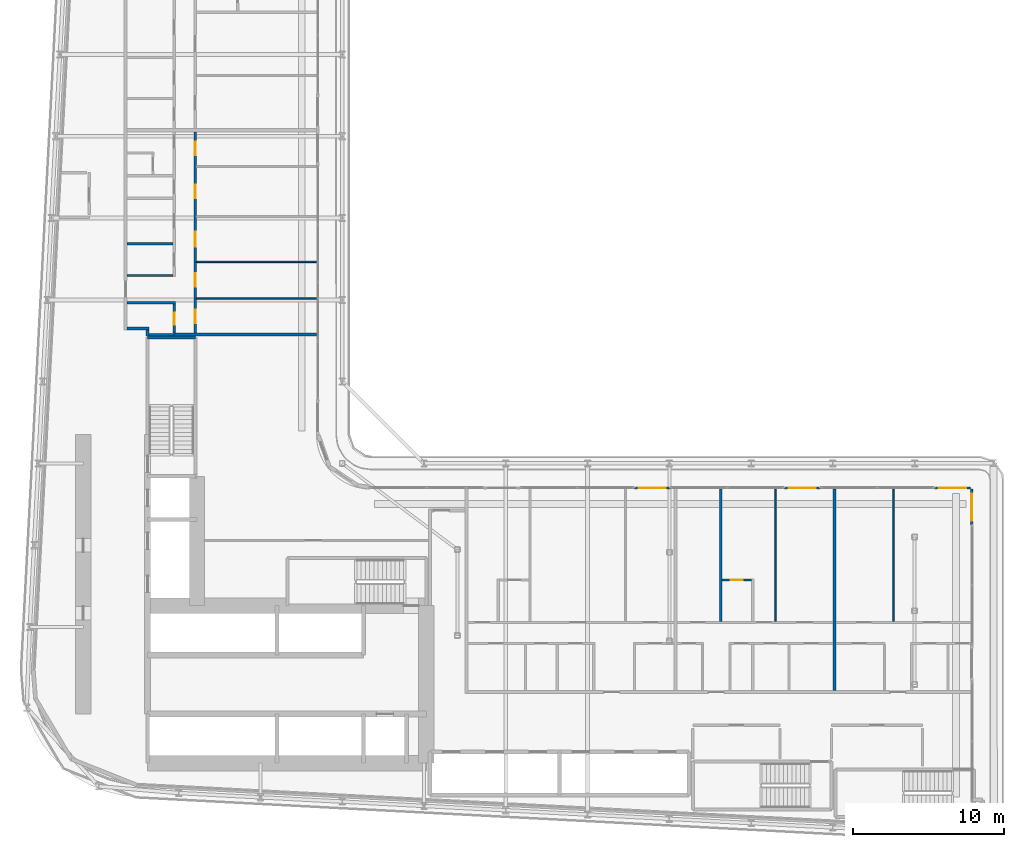
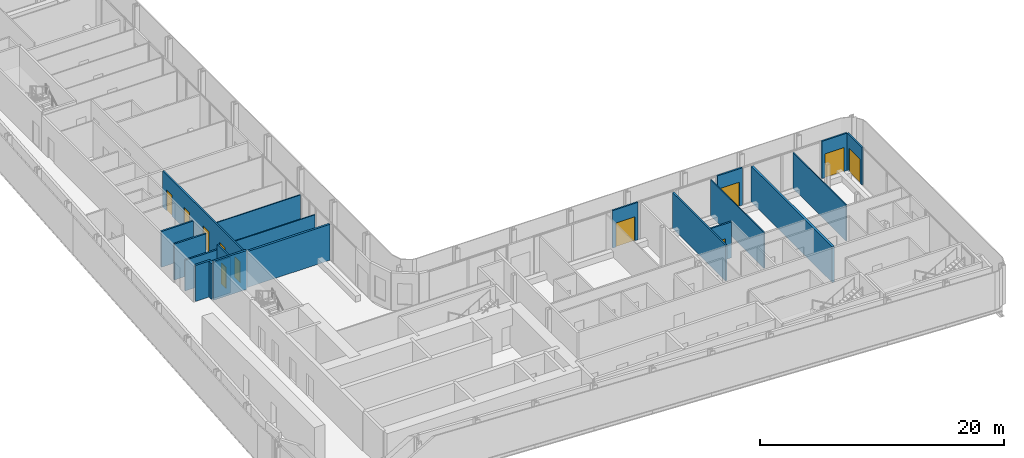
# One storey, part 15 of 25: 21 walls, 11 doors, 11 openings.
"""IFC4 building model written with IfcOpenShell, lengths in metres."""

from ifc_helpers import new_model, si_unit, direction, frame, frame_2d, origin, place, context, subcontext, project, spatial, rectangle, extrude, source, transform, mapped, material, layer, layer_set, type_object, element, fill, save


model = new_model("IFC4")

# Units and contexts
model_context = context("Model", 3, precision=1e-05, world=origin(), true_north=direction((0.0, 1.0)))
body_context = subcontext(model_context, "Body", "Model", "MODEL_VIEW")
ifc_project = project(units=[si_unit("LENGTHUNIT", "METRE"), si_unit("AREAUNIT", "SQUARE_METRE"), si_unit("VOLUMEUNIT", "CUBIC_METRE"), si_unit("PLANEANGLEUNIT", "RADIAN"), si_unit("MASSUNIT", "GRAM", prefix="KILO")], contexts=[model_context])

# Site, building, storey
site_placement = place(None, origin())
site = spatial("IfcSite", under=ifc_project, at=site_placement, CompositionType="ELEMENT")
building_placement = place(site_placement, origin())
building = spatial("IfcBuilding", under=site, at=building_placement, Name="Kheshtan School and Residences Tower", CompositionType="ELEMENT")
storey_placement = place(building_placement, frame((0.0, 0.0, 34.39990234375)))
storey = spatial("IfcBuildingStorey", under=building, at=storey_placement, Name="L07", CompositionType="ELEMENT", Elevation=34.39990234375)

# Walls
ifc_material_1 = material(Name="Gypsum board on steel studs with fire boards", Category="steel")
ifc_layer_1 = layer(ifc_material_1, 0.199951171875)
ifc_layer_set_1 = layer_set([ifc_layer_1], Name="Corridor wall 200")
wall_type_1 = type_object("IfcWallType", Name="Corridor wall 200", PredefinedType="PARTITIONING", material=ifc_layer_set_1)
wall_1_placement = place(storey_placement, frame((33.39990234375, 54.5, 0.0), z_axis=(0.0, 0.0, 1.0), x_axis=(1.0, 0.0, 0.0)))
element("IfcWall", 1, at=wall_1_placement, inside=storey, type_object=wall_type_1, Name="Partition L07-005", PredefinedType="PARTITIONING", context=body_context, shape_type="SweptSolid", body=[
    extrude(rectangle(XDim=1.4501953125, YDim=0.199951171875, at=frame_2d((0.72509765625, 0.0))), origin(), (0.0, 0.0, 1.0), 3.60009765625),
])
wall_2_placement = place(storey_placement, frame((34.75, 54.02490234375, 0.0), z_axis=(0.0, 0.0, 1.0), x_axis=(0.0, 1.0, 0.0)))
element("IfcWall", 2, at=wall_2_placement, inside=storey, type_object=wall_type_1, Name="Partition L07-019", PredefinedType="PARTITIONING", context=body_context, shape_type="SweptSolid", body=[
    extrude(rectangle(XDim=0.375, YDim=0.199951171875, at=frame_2d((0.1875, 0.0))), origin(), (0.0, 0.0, 1.0), 3.60009765625),
])

# Wall, opening, door
ifc_material_2 = material(Name="Aluminium frame wall with insulated infill", Category="aluminium")
ifc_layer_2 = layer(ifc_material_2, 0.14990234375)
ifc_layer_set_2 = layer_set([ifc_layer_2], Name="Glazing frame wall 150")
wall_type_2 = type_object("IfcWallType", Name="Glazing frame wall 150", PredefinedType="SOLIDWALL", material=ifc_layer_set_2)
wall_3_placement = place(storey_placement, frame((66.864990234375, 43.97509765625, 0.0), z_axis=(0.0, 0.0, 1.0), x_axis=(1.0, 0.0, 0.0)))
wall_3 = element("IfcWall", 3, at=wall_3_placement, inside=storey, type_object=wall_type_2, Name="Balcony door wall L07 12.2", PredefinedType="SOLIDWALL", context=body_context, shape_type="SweptSolid", body=[
    extrude(rectangle(XDim=2.39990234375, YDim=0.14990234375, at=frame_2d((1.199951171875, 0.0))), origin(), (0.0, 0.0, 1.0), 3.75),
])
opening_1_placement = place(wall_3_placement, frame((0.300048828125, 0.0, 0.0)))
opening_1 = element("IfcOpeningElement", 4, at=opening_1_placement, cuts=wall_3, Name="Opening BD", PredefinedType="OPENING", context=body_context, shape_type="SweptSolid", body=[
    extrude(rectangle(XDim=1.800048828125, YDim=2.39990234375, at=frame_2d((0.89990234375, 1.199951171875))), frame((0.0, 0.0849609375, 0.0), z_axis=(0.0, -1.0, 0.0), x_axis=(1.0, 0.0, 0.0)), (0.0, 0.0, 1.0), 0.169921875),
])
ifc_material_3 = material(Name="Clear low-e glass in thermally broken aluminium frame", Category="aluminium")
door_type_1 = type_object("IfcDoorType", Name="Balcony sliding door", OperationType="SLIDING_TO_LEFT", PredefinedType="DOOR", material=ifc_material_3)
shared_shape_1 = source(origin(), body_context, "Body", "SweptSolid", [
    extrude(rectangle(XDim=1.800048828125, YDim=2.39990234375, at=frame_2d((0.89990234375, 1.199951171875))), frame((0.0, 0.02490234375, 0.0), z_axis=(0.0, -1.0, 0.0), x_axis=(1.0, 0.0, 0.0)), (0.0, 0.0, 1.0), 0.050048828125),
])
door_1_placement = place(opening_1_placement, origin())
door_1 = element("IfcDoor", 5, at=door_1_placement, inside=storey, type_object=door_type_1, Name="Balcony door L07 12.2", OperationType="SLIDING_TO_LEFT", OverallHeight=2.39990234375, OverallWidth=1.800048828125, PredefinedType="DOOR", context=body_context, shape_type="MappedRepresentation", body=[
    mapped(shared_shape_1, transform((0.0, 0.0, 0.0), x_axis=(1.0, 0.0, 0.0), y_axis=(0.0, 1.0, 0.0), z_axis=(0.0, 0.0, 1.0), scale=1.0)),
])
fill(opening_1, door_1)

wall_4_placement = place(storey_placement, frame((76.781982421875, 43.97509765625, 0.0), z_axis=(0.0, 0.0, 1.0), x_axis=(1.0, 0.0, 0.0)))
wall_4 = element("IfcWall", 6, at=wall_4_placement, inside=storey, type_object=wall_type_2, Name="Balcony door wall L07 12.3", PredefinedType="SOLIDWALL", context=body_context, shape_type="SweptSolid", body=[
    extrude(rectangle(XDim=2.39990234375, YDim=0.14990234375, at=frame_2d((1.199951171875, 0.0))), origin(), (0.0, 0.0, 1.0), 3.75),
])
opening_2_placement = place(wall_4_placement, frame((0.300048828125, 0.0, 0.0)))
opening_2 = element("IfcOpeningElement", 7, at=opening_2_placement, cuts=wall_4, Name="Opening BD", PredefinedType="OPENING", context=body_context, shape_type="SweptSolid", body=[
    extrude(rectangle(XDim=1.800048828125, YDim=2.39990234375, at=frame_2d((0.89990234375, 1.199951171875))), frame((0.0, 0.0849609375, 0.0), z_axis=(0.0, -1.0, 0.0), x_axis=(1.0, 0.0, 0.0)), (0.0, 0.0, 1.0), 0.169921875),
])
door_2_placement = place(opening_2_placement, origin())
door_2 = element("IfcDoor", 8, at=door_2_placement, inside=storey, type_object=door_type_1, Name="Balcony door L07 12.3", OperationType="SLIDING_TO_LEFT", OverallHeight=2.39990234375, OverallWidth=1.800048828125, PredefinedType="DOOR", context=body_context, shape_type="MappedRepresentation", body=[
    mapped(shared_shape_1, transform((0.0, 0.0, 0.0), x_axis=(1.0, 0.0, 0.0), y_axis=(0.0, 1.0, 0.0), z_axis=(0.0, 0.0, 1.0), scale=1.0)),
])
fill(opening_2, door_2)

wall_5_placement = place(storey_placement, frame((86.699951171875, 43.97509765625, 0.0), z_axis=(0.0, 0.0, 1.0), x_axis=(1.0, 0.0, 0.0)))
wall_5 = element("IfcWall", 9, at=wall_5_placement, inside=storey, type_object=wall_type_2, Name="Balcony door wall L07 12.4", PredefinedType="SOLIDWALL", context=body_context, shape_type="SweptSolid", body=[
    extrude(rectangle(XDim=2.400146484375, YDim=0.14990234375, at=frame_2d((1.2001953125, 0.0))), origin(), (0.0, 0.0, 1.0), 3.75),
])
opening_3_placement = place(wall_5_placement, frame((0.300048828125, 0.0, 0.0)))
opening_3 = element("IfcOpeningElement", 10, at=opening_3_placement, cuts=wall_5, Name="Opening BD", PredefinedType="OPENING", context=body_context, shape_type="SweptSolid", body=[
    extrude(rectangle(XDim=1.800048828125, YDim=2.39990234375, at=frame_2d((0.89990234375, 1.199951171875))), frame((0.0, 0.0849609375, 0.0), z_axis=(0.0, -1.0, 0.0), x_axis=(1.0, 0.0, 0.0)), (0.0, 0.0, 1.0), 0.169921875),
])
door_3_placement = place(opening_3_placement, origin())
door_3 = element("IfcDoor", 11, at=door_3_placement, inside=storey, type_object=door_type_1, Name="Balcony door L07 12.4", OperationType="SLIDING_TO_LEFT", OverallHeight=2.39990234375, OverallWidth=1.800048828125, PredefinedType="DOOR", context=body_context, shape_type="MappedRepresentation", body=[
    mapped(shared_shape_1, transform((0.0, 0.0, 0.0), x_axis=(1.0, 0.0, 0.0), y_axis=(0.0, 1.0, 0.0), z_axis=(0.0, 0.0, 1.0), scale=1.0)),
])
fill(opening_3, door_3)

wall_6_placement = place(storey_placement, frame((89.175048828125, 43.89990234375, 0.0), z_axis=(0.0, 0.0, 1.0), x_axis=(0.0, -1.0, 0.0)))
wall_6 = element("IfcWall", 12, at=wall_6_placement, inside=storey, type_object=wall_type_2, Name="Balcony door wall L07 13.1", PredefinedType="SOLIDWALL", context=body_context, shape_type="SweptSolid", body=[
    extrude(rectangle(XDim=2.39990234375, YDim=0.14990234375, at=frame_2d((1.199951171875, 0.0))), origin(), (0.0, 0.0, 1.0), 3.75),
])
opening_4_placement = place(wall_6_placement, frame((0.300048828125, 0.0, 0.0)))
opening_4 = element("IfcOpeningElement", 13, at=opening_4_placement, cuts=wall_6, Name="Opening BD", PredefinedType="OPENING", context=body_context, shape_type="SweptSolid", body=[
    extrude(rectangle(XDim=1.800048828125, YDim=2.39990234375, at=frame_2d((0.89990234375, 1.199951171875))), frame((0.0, 0.0849609375, 0.0), z_axis=(0.0, -1.0, 0.0), x_axis=(1.0, 0.0, 0.0)), (0.0, 0.0, 1.0), 0.169921875),
])
door_4_placement = place(opening_4_placement, origin())
door_4 = element("IfcDoor", 14, at=door_4_placement, inside=storey, type_object=door_type_1, Name="Balcony door L07 13.1", OperationType="SLIDING_TO_LEFT", OverallHeight=2.39990234375, OverallWidth=1.800048828125, PredefinedType="DOOR", context=body_context, shape_type="MappedRepresentation", body=[
    mapped(shared_shape_1, transform((0.0, 0.0, 0.0), x_axis=(1.0, 0.0, 0.0), y_axis=(0.0, 1.0, 0.0), z_axis=(0.0, 0.0, 1.0), scale=1.0)),
])
fill(opening_4, door_4)

# Walls
ifc_material_4 = material(Name="Gypsum board on steel studs", Category="steel")
ifc_layer_3 = layer(ifc_material_4, 0.10009765625)
ifc_layer_set_3 = layer_set([ifc_layer_3], Name="Gypsum partition 100")
wall_type_3 = type_object("IfcWallType", Name="Gypsum partition 100", PredefinedType="PARTITIONING", material=ifc_layer_set_3)
wall_7_placement = place(storey_placement, frame((37.97509765625, 56.5, 0.0), z_axis=(0.0, 0.0, 1.0), x_axis=(1.0, 0.0, 0.0)))
element("IfcWall", 15, at=wall_7_placement, inside=storey, type_object=wall_type_3, Name="Partition L07-036", PredefinedType="PARTITIONING", context=body_context, shape_type="SweptSolid", body=[
    extrude(rectangle(XDim=7.9248046875, YDim=0.10009765625, at=frame_2d((3.96240234375, 0.0))), origin(), (0.0, 0.0, 1.0), 3.072021484375),
])
wall_8_placement = place(storey_placement, frame((37.97509765625, 58.89990234375, 0.0), z_axis=(0.0, 0.0, 1.0), x_axis=(1.0, 0.0, 0.0)))
element("IfcWall", 16, at=wall_8_placement, inside=storey, type_object=wall_type_3, Name="Partition L07-037", PredefinedType="PARTITIONING", context=body_context, shape_type="SweptSolid", body=[
    extrude(rectangle(XDim=7.9248046875, YDim=0.10009765625, at=frame_2d((3.96240234375, 0.0))), origin(), (0.0, 0.0, 1.0), 3.60009765625),
])
for number, where, z_axis, x_axis, name in (
    (17, (76.199951171875, 35.175048828125, 0.0), (0.0, 0.0, 1.0), (0.0, 1.0, 0.0), "Partition L07-070"),
    (18, (84.0, 35.175048828125, 0.0), (0.0, 0.0, 1.0), (0.0, 1.0, 0.0), "Partition L07-076"),
):
    element("IfcWall", number, at=place(storey_placement, frame(where, z_axis=z_axis, x_axis=x_axis)), inside=storey, type_object=wall_type_3, Name=name, PredefinedType="PARTITIONING", context=body_context, shape_type="SweptSolid", body=[
        extrude(rectangle(XDim=8.724853515625, YDim=0.10009765625, at=frame_2d((4.3623046875, 0.0))), origin(), (0.0, 0.0, 1.0), 3.60009765625),
    ])
ifc_material_5 = material(Name="Concrete C40/50", Category="concrete")
ifc_layer_4 = layer(ifc_material_5, 0.199951171875)
ifc_layer_set_4 = layer_set([ifc_layer_4], Name="Stair enclosure wall 200 Concrete C40/50")
wall_type_4 = type_object("IfcWallType", Name="Stair enclosure wall 200 Concrete C40/50", PredefinedType="SHEAR", material=ifc_layer_set_4)
wall_9_placement = place(storey_placement, frame((34.75, 53.909912109375, 0.0), z_axis=(0.0, 0.0, 1.0), x_axis=(1.0, 0.0, 0.0)))
element("IfcWall", 19, at=wall_9_placement, inside=storey, type_object=wall_type_4, Name="Stair enclosure wall ST2", PredefinedType="SHEAR", context=body_context, shape_type="SweptSolid", body=[
    extrude(rectangle(XDim=3.14990234375, YDim=0.199951171875, at=frame_2d((1.574951171875, 0.0))), origin(), (0.0, 0.0, 1.0), 3.900146484375),
])
ifc_material_6 = material(Name="Twin gypsum board on steel studs with mineral wool", Category="steel")
ifc_layer_5 = layer(ifc_material_6, 0.199951171875)
ifc_layer_set_5 = layer_set([ifc_layer_5], Name="Unit demising wall 200")
wall_type_5 = type_object("IfcWallType", Name="Unit demising wall 200", PredefinedType="PARTITIONING", material=ifc_layer_set_5)
wall_10_placement = place(storey_placement, frame((36.5, 54.10009765625, 0.0), z_axis=(0.0, 0.0, 1.0), x_axis=(1.0, 0.0, 0.0)))
element("IfcWall", 20, at=wall_10_placement, inside=storey, type_object=wall_type_5, Name="Partition L07-023", PredefinedType="PARTITIONING", context=body_context, shape_type="SweptSolid", body=[
    extrude(rectangle(XDim=9.39990234375, YDim=0.199951171875, at=frame_2d((4.699951171875, 0.0))), origin(), (0.0, 0.0, 1.0), 3.60009765625),
])
wall_11_placement = place(storey_placement, frame((80.10009765625, 30.60009765625, 0.0), z_axis=(0.0, 0.0, 1.0), x_axis=(0.0, 1.0, 0.0)))
element("IfcWall", 21, at=wall_11_placement, inside=storey, type_object=wall_type_5, Name="Partition L07-072", PredefinedType="PARTITIONING", context=body_context, shape_type="SweptSolid", body=[
    extrude(rectangle(XDim=13.2998046875, YDim=0.199951171875, at=frame_2d((6.64990234375, 0.0))), origin(), (0.0, 0.0, 1.0), 3.60009765625),
])
ifc_material_7 = material(Name="Moisture-resistant gypsum board on steel studs", Category="steel")
ifc_layer_6 = layer(ifc_material_7, 0.14990234375)
ifc_layer_set_6 = layer_set([ifc_layer_6], Name="Wet-room partition 150")
wall_type_6 = type_object("IfcWallType", Name="Wet-room partition 150", PredefinedType="PARTITIONING", material=ifc_layer_set_6)
wall_12_placement = place(storey_placement, frame((33.39990234375, 56.199951171875, 0.0), z_axis=(0.0, 0.0, 1.0), x_axis=(1.0, 0.0, 0.0)))
element("IfcWall", 22, at=wall_12_placement, inside=storey, type_object=wall_type_6, Name="Partition L07-006", PredefinedType="PARTITIONING", context=body_context, shape_type="SweptSolid", body=[
    extrude(rectangle(XDim=3.175048828125, YDim=0.14990234375, at=frame_2d((1.58740234375, 0.0))), origin(), (0.0, 0.0, 1.0), 3.072021484375),
])
for number, where, z_axis, x_axis, name in (
    (23, (33.39990234375, 58.0, 0.0), (0.0, 0.0, 1.0), (1.0, 0.0, 0.0), "Partition L07-007"),
    (24, (33.39990234375, 60.10009765625, 0.0), (0.0, 0.0, 1.0), (1.0, 0.0, 0.0), "Partition L07-008"),
):
    element("IfcWall", number, at=place(storey_placement, frame(where, z_axis=z_axis, x_axis=x_axis)), inside=storey, type_object=wall_type_6, Name=name, PredefinedType="PARTITIONING", context=body_context, shape_type="SweptSolid", body=[
        extrude(rectangle(XDim=3.025146484375, YDim=0.14990234375, at=frame_2d((1.5126953125, 0.0))), origin(), (0.0, 0.0, 1.0), 3.60009765625),
    ])
wall_13_placement = place(storey_placement, frame((34.85009765625, 54.10009765625, 0.0), z_axis=(0.0, 0.0, 1.0), x_axis=(1.0, 0.0, 0.0)))
element("IfcWall", 25, at=wall_13_placement, inside=storey, type_object=wall_type_6, Name="Partition L07-020", PredefinedType="PARTITIONING", context=body_context, shape_type="SweptSolid", body=[
    extrude(rectangle(XDim=1.64990234375, YDim=0.14990234375, at=frame_2d((0.824951171875, 0.0))), origin(), (0.0, 0.0, 1.0), 3.60009765625),
])

# Wall, opening, door
wall_14_placement = place(storey_placement, frame((36.5, 54.199951171875, 0.0), z_axis=(0.0, 0.0, 1.0), x_axis=(0.0, 1.0, 0.0)))
wall_14 = element("IfcWall", 26, at=wall_14_placement, inside=storey, type_object=wall_type_6, Name="Partition L07-024", PredefinedType="PARTITIONING", context=body_context, shape_type="SweptSolid", body=[
    extrude(rectangle(XDim=1.925048828125, YDim=0.14990234375, at=frame_2d((0.96240234375, 0.0))), origin(), (0.0, 0.0, 1.0), 3.60009765625),
])
opening_5_placement = place(wall_14_placement, frame((0.550048828125, 0.0, 0.0)))
opening_5 = element("IfcOpeningElement", 27, at=opening_5_placement, cuts=wall_14, Name="Opening D06-025", PredefinedType="OPENING", context=body_context, shape_type="SweptSolid", body=[
    extrude(rectangle(XDim=0.800048828125, YDim=2.10009765625, at=frame_2d((0.39990234375, 1.050048828125))), frame((0.0, 0.0849609375, 0.0), z_axis=(0.0, -1.0, 0.0), x_axis=(1.0, 0.0, 0.0)), (0.0, 0.0, 1.0), 0.169921875),
])
ifc_material_8 = material(Name="Veneered timber door leaf", Category="wood")
door_type_2 = type_object("IfcDoorType", Name="Door 800 x 2100", OperationType="SINGLE_SWING_LEFT", PredefinedType="DOOR", material=ifc_material_8)
shared_shape_2 = source(origin(), body_context, "Body", "SweptSolid", [
    extrude(rectangle(XDim=0.800048828125, YDim=2.10009765625, at=frame_2d((0.39990234375, 1.050048828125))), frame((0.0, 0.02490234375, 0.0), z_axis=(0.0, -1.0, 0.0), x_axis=(1.0, 0.0, 0.0)), (0.0, 0.0, 1.0), 0.050048828125),
])
door_5_placement = place(opening_5_placement, origin())
door_5 = element("IfcDoor", 28, at=door_5_placement, inside=storey, type_object=door_type_2, Name="Door D06-025", OperationType="SINGLE_SWING_RIGHT", OverallHeight=2.10009765625, OverallWidth=0.800048828125, PredefinedType="DOOR", context=body_context, shape_type="MappedRepresentation", body=[
    mapped(shared_shape_2, transform((0.0, 0.0, 0.0), x_axis=(1.0, 0.0, 0.0), y_axis=(0.0, 1.0, 0.0), z_axis=(0.0, 0.0, 1.0), scale=1.0)),
])
fill(opening_5, door_5)

# Wall, openings, doors
wall_15_placement = place(storey_placement, frame((37.89990234375, 54.199951171875, 0.0), z_axis=(0.0, 0.0, 1.0), x_axis=(0.0, 1.0, 0.0)))
wall_15 = element("IfcWall", 29, at=wall_15_placement, inside=storey, type_object=wall_type_6, Name="Partition L07-032", PredefinedType="PARTITIONING", context=body_context, shape_type="SweptSolid", body=[
    extrude(rectangle(XDim=13.300048828125, YDim=0.14990234375, at=frame_2d((6.64990234375, 0.0))), origin(), (0.0, 0.0, 1.0), 3.60009765625),
])
opening_6_placement = place(wall_15_placement, frame((3.050048828125, 0.0, 0.0)))
opening_6 = element("IfcOpeningElement", 30, at=opening_6_placement, cuts=wall_15, Name="Opening D06-027", PredefinedType="OPENING", context=body_context, shape_type="SweptSolid", body=[
    extrude(rectangle(XDim=0.89990234375, YDim=2.10009765625, at=frame_2d((0.449951171875, 1.050048828125))), frame((0.0, 0.0849609375, 0.0), z_axis=(0.0, -1.0, 0.0), x_axis=(1.0, 0.0, 0.0)), (0.0, 0.0, 1.0), 0.169921875),
])
opening_7_placement = place(wall_15_placement, frame((11.75, 0.0, 0.0)))
opening_7 = element("IfcOpeningElement", 31, at=opening_7_placement, cuts=wall_15, Name="Opening D06-028", PredefinedType="OPENING", context=body_context, shape_type="SweptSolid", body=[
    extrude(rectangle(XDim=0.89990234375, YDim=2.10009765625, at=frame_2d((0.449951171875, 1.050048828125))), frame((0.0, 0.0849609375, 0.0), z_axis=(0.0, -1.0, 0.0), x_axis=(1.0, 0.0, 0.0)), (0.0, 0.0, 1.0), 0.169921875),
])
opening_8_placement = place(wall_15_placement, frame((5.699951171875, 0.0, 0.0)))
opening_8 = element("IfcOpeningElement", 32, at=opening_8_placement, cuts=wall_15, Name="Opening D06-031", PredefinedType="OPENING", context=body_context, shape_type="SweptSolid", body=[
    extrude(rectangle(XDim=1.0, YDim=2.10009765625, at=frame_2d((0.5, 1.050048828125))), frame((0.0, 0.0849609375, 0.0), z_axis=(0.0, -1.0, 0.0), x_axis=(1.0, 0.0, 0.0)), (0.0, 0.0, 1.0), 0.169921875),
])
opening_9_placement = place(wall_15_placement, frame((0.64990234375, 0.0, 0.0)))
opening_9 = element("IfcOpeningElement", 33, at=opening_9_placement, cuts=wall_15, Name="Opening D06-034", PredefinedType="OPENING", context=body_context, shape_type="SweptSolid", body=[
    extrude(rectangle(XDim=0.89990234375, YDim=2.10009765625, at=frame_2d((0.449951171875, 1.050048828125))), frame((0.0, 0.0849609375, 0.0), z_axis=(0.0, -1.0, 0.0), x_axis=(1.0, 0.0, 0.0)), (0.0, 0.0, 1.0), 0.169921875),
])
opening_10_placement = place(wall_15_placement, frame((8.89990234375, 0.0, 0.0)))
opening_10 = element("IfcOpeningElement", 34, at=opening_10_placement, cuts=wall_15, Name="Opening D06-035", PredefinedType="OPENING", context=body_context, shape_type="SweptSolid", body=[
    extrude(rectangle(XDim=0.89990234375, YDim=2.10009765625, at=frame_2d((0.449951171875, 1.050048828125))), frame((0.0, 0.0849609375, 0.0), z_axis=(0.0, -1.0, 0.0), x_axis=(1.0, 0.0, 0.0)), (0.0, 0.0, 1.0), 0.169921875),
])
door_type_3 = type_object("IfcDoorType", Name="Door 1000 x 2100", OperationType="SINGLE_SWING_LEFT", PredefinedType="DOOR", material=ifc_material_8)
shared_shape_3 = source(origin(), body_context, "Body", "SweptSolid", [
    extrude(rectangle(XDim=1.0, YDim=2.10009765625, at=frame_2d((0.5, 1.050048828125))), frame((0.0, 0.02490234375, 0.0), z_axis=(0.0, -1.0, 0.0), x_axis=(1.0, 0.0, 0.0)), (0.0, 0.0, 1.0), 0.050048828125),
])
door_6_placement = place(opening_8_placement, origin())
door_6 = element("IfcDoor", 35, at=door_6_placement, inside=storey, type_object=door_type_3, Name="Door D06-031", OperationType="SINGLE_SWING_RIGHT", OverallHeight=2.10009765625, OverallWidth=1.0, PredefinedType="DOOR", context=body_context, shape_type="MappedRepresentation", body=[
    mapped(shared_shape_3, transform((0.0, 0.0, 0.0), x_axis=(1.0, 0.0, 0.0), y_axis=(0.0, 1.0, 0.0), z_axis=(0.0, 0.0, 1.0), scale=1.0)),
])
fill(opening_8, door_6)
door_type_4 = type_object("IfcDoorType", Name="Door 900 x 2100", OperationType="SINGLE_SWING_LEFT", PredefinedType="DOOR", material=ifc_material_8)
shared_shape_4 = source(origin(), body_context, "Body", "SweptSolid", [
    extrude(rectangle(XDim=0.89990234375, YDim=2.10009765625, at=frame_2d((0.449951171875, 1.050048828125))), frame((0.0, 0.02490234375, 0.0), z_axis=(0.0, -1.0, 0.0), x_axis=(1.0, 0.0, 0.0)), (0.0, 0.0, 1.0), 0.050048828125),
])
door_7_placement = place(opening_6_placement, origin())
door_7 = element("IfcDoor", 36, at=door_7_placement, inside=storey, type_object=door_type_4, Name="Door D06-027", OperationType="SINGLE_SWING_LEFT", OverallHeight=2.10009765625, OverallWidth=0.89990234375, PredefinedType="DOOR", context=body_context, shape_type="MappedRepresentation", body=[
    mapped(shared_shape_4, transform((0.0, 0.0, 0.0), x_axis=(1.0, 0.0, 0.0), y_axis=(0.0, 1.0, 0.0), z_axis=(0.0, 0.0, 1.0), scale=1.0)),
])
fill(opening_6, door_7)
door_8_placement = place(opening_7_placement, origin())
door_8 = element("IfcDoor", 37, at=door_8_placement, inside=storey, type_object=door_type_4, Name="Door D06-028", OperationType="SINGLE_SWING_LEFT", OverallHeight=2.10009765625, OverallWidth=0.89990234375, PredefinedType="DOOR", context=body_context, shape_type="MappedRepresentation", body=[
    mapped(shared_shape_4, transform((0.0, 0.0, 0.0), x_axis=(1.0, 0.0, 0.0), y_axis=(0.0, 1.0, 0.0), z_axis=(0.0, 0.0, 1.0), scale=1.0)),
])
fill(opening_7, door_8)
door_9_placement = place(opening_9_placement, origin())
door_9 = element("IfcDoor", 38, at=door_9_placement, inside=storey, type_object=door_type_4, Name="Door D06-034", OperationType="SINGLE_SWING_RIGHT", OverallHeight=2.10009765625, OverallWidth=0.89990234375, PredefinedType="DOOR", context=body_context, shape_type="MappedRepresentation", body=[
    mapped(shared_shape_4, transform((0.0, 0.0, 0.0), x_axis=(1.0, 0.0, 0.0), y_axis=(0.0, 1.0, 0.0), z_axis=(0.0, 0.0, 1.0), scale=1.0)),
])
fill(opening_9, door_9)
door_10_placement = place(opening_10_placement, origin())
door_10 = element("IfcDoor", 39, at=door_10_placement, inside=storey, type_object=door_type_4, Name="Door D06-035", OperationType="SINGLE_SWING_LEFT", OverallHeight=2.10009765625, OverallWidth=0.89990234375, PredefinedType="DOOR", context=body_context, shape_type="MappedRepresentation", body=[
    mapped(shared_shape_4, transform((0.0, 0.0, 0.0), x_axis=(1.0, 0.0, 0.0), y_axis=(0.0, 1.0, 0.0), z_axis=(0.0, 0.0, 1.0), scale=1.0)),
])
fill(opening_10, door_10)

# Wall
wall_16_placement = place(storey_placement, frame((72.60009765625, 35.175048828125, 0.0), z_axis=(0.0, 0.0, 1.0), x_axis=(0.0, 1.0, 0.0)))
element("IfcWall", 40, at=wall_16_placement, inside=storey, type_object=wall_type_6, Name="Partition L07-064", PredefinedType="PARTITIONING", context=body_context, shape_type="SweptSolid", body=[
    extrude(rectangle(XDim=8.724853515625, YDim=0.14990234375, at=frame_2d((4.3623046875, 0.0))), origin(), (0.0, 0.0, 1.0), 3.60009765625),
])

# Wall, opening, door
wall_17_placement = place(storey_placement, frame((72.675048828125, 37.89990234375, 0.0), z_axis=(0.0, 0.0, 1.0), x_axis=(1.0, 0.0, 0.0)))
wall_17 = element("IfcWall", 41, at=wall_17_placement, inside=storey, type_object=wall_type_6, Name="Partition L07-065", PredefinedType="PARTITIONING", context=body_context, shape_type="SweptSolid", body=[
    extrude(rectangle(XDim=1.949951171875, YDim=0.14990234375, at=frame_2d((0.97509765625, 0.0))), origin(), (0.0, 0.0, 1.0), 3.60009765625),
])
opening_11_placement = place(wall_17_placement, frame((0.574951171875, 0.0, 0.0)))
opening_11 = element("IfcOpeningElement", 42, at=opening_11_placement, cuts=wall_17, Name="Opening D06-012", PredefinedType="OPENING", context=body_context, shape_type="SweptSolid", body=[
    extrude(rectangle(XDim=0.800048828125, YDim=2.10009765625, at=frame_2d((0.39990234375, 1.050048828125))), frame((0.0, 0.0849609375, 0.0), z_axis=(0.0, -1.0, 0.0), x_axis=(1.0, 0.0, 0.0)), (0.0, 0.0, 1.0), 0.169921875),
])
door_11_placement = place(opening_11_placement, origin())
door_11 = element("IfcDoor", 43, at=door_11_placement, inside=storey, type_object=door_type_2, Name="Door D06-012", OperationType="SINGLE_SWING_LEFT", OverallHeight=2.10009765625, OverallWidth=0.800048828125, PredefinedType="DOOR", context=body_context, shape_type="MappedRepresentation", body=[
    mapped(shared_shape_2, transform((0.0, 0.0, 0.0), x_axis=(1.0, 0.0, 0.0), y_axis=(0.0, 1.0, 0.0), z_axis=(0.0, 0.0, 1.0), scale=1.0)),
])
fill(opening_11, door_11)

save(model, "model.ifc")
